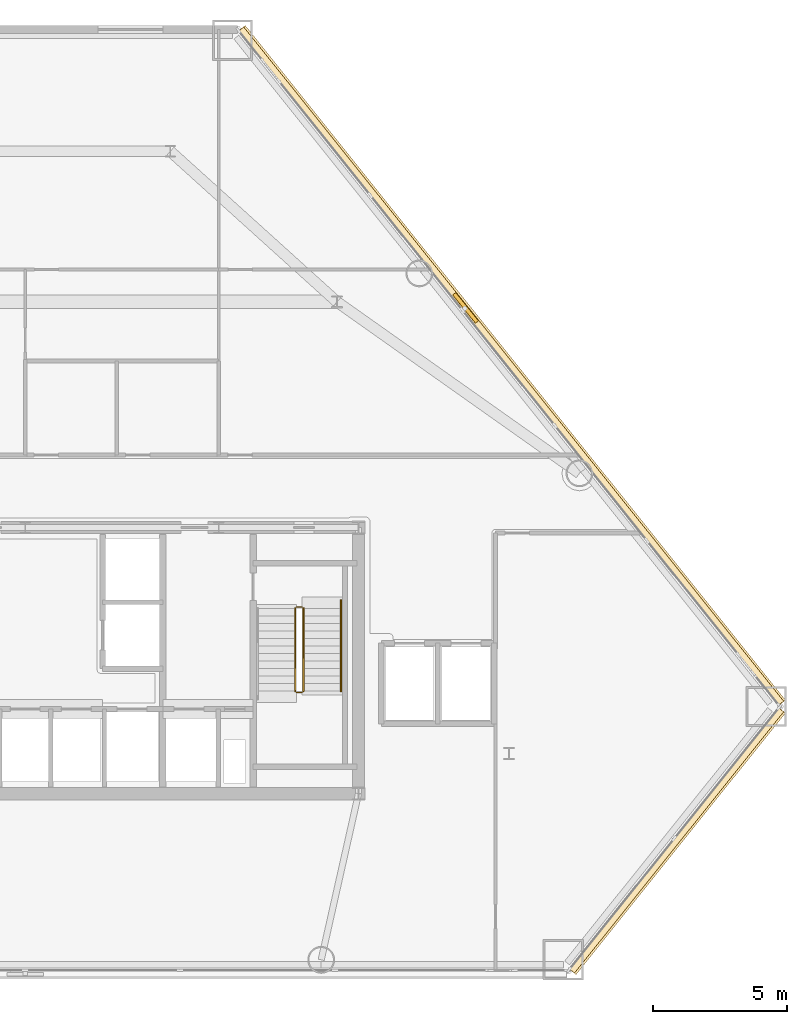
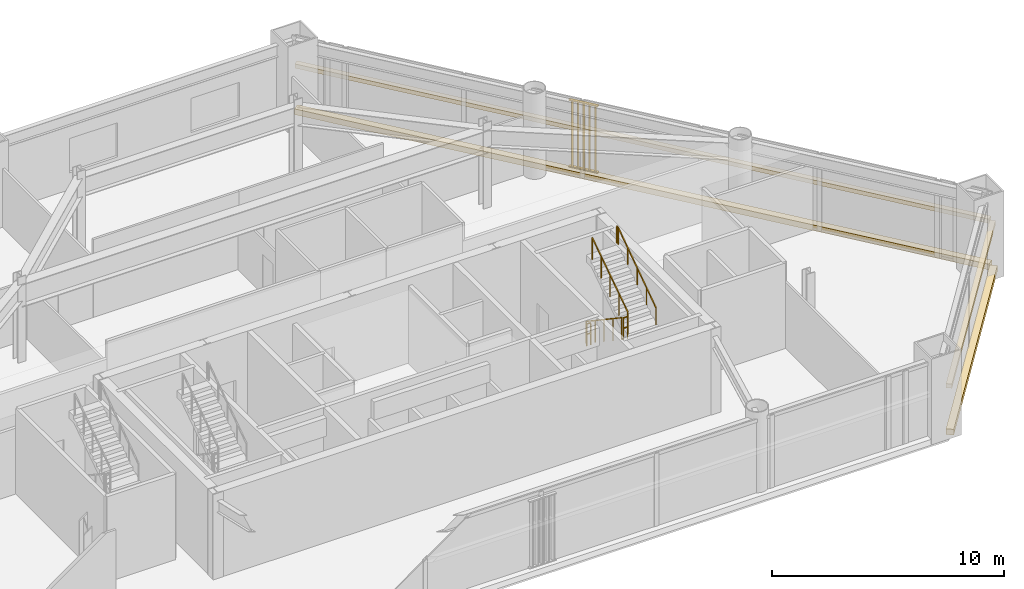
# One storey, part 13 of 13: 5 railings, 4 coverings, 1 shading device.
"""IFC4 building model written with IfcOpenShell, lengths in metres."""

from ifc_helpers import new_model, si_unit, direction, frame, origin, origin_2d, place, context, subcontext, project, spatial, rectangle, extrude, source, transform, mapped, material, layer, layer_set, type_object, type_shapes, element, save


model = new_model("IFC4")

# Units and contexts
model_context = context("Model", 3, precision=1e-05, world=origin(), true_north=direction((0.0, 1.0)))
body_context = subcontext(model_context, "Body", "Model", "MODEL_VIEW")
ifc_project = project(units=[si_unit("LENGTHUNIT", "METRE"), si_unit("AREAUNIT", "SQUARE_METRE"), si_unit("VOLUMEUNIT", "CUBIC_METRE"), si_unit("PLANEANGLEUNIT", "RADIAN"), si_unit("MASSUNIT", "GRAM", prefix="KILO")], contexts=[model_context])

# Site, building, storey
site_placement = place(None, origin())
site = spatial("IfcSite", under=ifc_project, at=site_placement, CompositionType="ELEMENT")
building_placement = place(site_placement, origin())
building = spatial("IfcBuilding", under=site, at=building_placement, Name="Talgorran Terracotta Tower", CompositionType="ELEMENT")
storey_placement = place(building_placement, frame((0.0, 0.0, 14.39990234375)))
storey = spatial("IfcBuildingStorey", under=building, at=storey_placement, Name="L03", CompositionType="ELEMENT", Elevation=14.39990234375)

# Coverings
ifc_material_1 = material(Name="Kiln-Fired Terracotta Ochre Ceramic", Category="masonry")
ifc_layer_1 = layer(ifc_material_1, 0.179931640625, Name="COV_BAGUETTE_TERRACOTTA_SCREEN")
ifc_layer_set_1 = layer_set([ifc_layer_1], Name="Kiln-Fired Terracotta Ochre Ceramic")
covering_type_1 = type_object("IfcCoveringType", Name="COV_BAGUETTE_TERRACOTTA_SCREEN", PredefinedType="CLADDING", material=ifc_layer_set_1)
covering_1_placement = place(storey_placement, frame((24.226318359375, -15.83056640625, 2.41015625), z_axis=(0.0, 0.0, 1.0), x_axis=(0.625120058901, 0.780528610597, 0.0)))
element("IfcCovering", 1, at=covering_1_placement, inside=storey, type_object=covering_type_1, Name="L03 Terracotta Baguette Solar Screen Assembly F2", PredefinedType="CLADDING", context=body_context, shape_type="SweptSolid", body=[
    extrude(rectangle(XDim=12.4462890625, YDim=0.260009765625, at=origin_2d()), origin(), (0.0, 0.0, 1.0), 0.219970703125),
])
covering_2_placement = place(storey_placement, frame((18.072509765625, 1.802490234375, 2.41015625), z_axis=(0.0, 0.0, 1.0), x_axis=(-0.625120058901, 0.780528610597, 0.0)))
element("IfcCovering", 2, at=covering_2_placement, inside=storey, type_object=covering_type_1, Name="L03 Terracotta Baguette Solar Screen Assembly F3", PredefinedType="CLADDING", context=body_context, shape_type="SweptSolid", body=[
    extrude(rectangle(XDim=32.135498046875, YDim=0.260009765625, at=origin_2d()), origin(), (0.0, 0.0, 1.0), 0.219970703125),
])
ifc_material_2 = material(Name="Kiln-Fired Terracotta Cladding", Category="masonry")
ifc_layer_2 = layer(ifc_material_2, 0.090087890625, Name="COV_PORTAL_TERRA")
ifc_layer_set_2 = layer_set([ifc_layer_2], Name="Kiln-Fired Terracotta Cladding")
covering_type_2 = type_object("IfcCoveringType", Name="COV_PORTAL_TERRA", PredefinedType="CLADDING", material=ifc_layer_set_2)
covering_3_placement = place(storey_placement, frame((24.257568359375, -15.85546875, -0.0400390625), z_axis=(0.0, 0.0, 1.0), x_axis=(0.625120058901, 0.780528610597, 0.0)))
element("IfcCovering", 3, at=covering_3_placement, inside=storey, type_object=covering_type_2, Name="L03 Striped Postmodern Portal Cladding Band F2", PredefinedType="CLADDING", context=body_context, shape_type="SweptSolid", body=[
    extrude(rectangle(XDim=12.46630859375, YDim=0.340087890625, at=origin_2d()), origin(), (0.0, 0.0, 1.0), 0.300048828125),
])
covering_4_placement = place(storey_placement, frame((18.103515625, 1.827392578125, -0.0400390625), z_axis=(0.0, 0.0, 1.0), x_axis=(-0.625120058901, 0.780528610597, 0.0)))
element("IfcCovering", 4, at=covering_4_placement, inside=storey, type_object=covering_type_2, Name="L03 Striped Postmodern Portal Cladding Band F3", PredefinedType="CLADDING", context=body_context, shape_type="SweptSolid", body=[
    extrude(rectangle(XDim=32.155517578125, YDim=0.340087890625, at=origin_2d()), origin(), (0.0, 0.0, 1.0), 0.300048828125),
])

# Railings
ifc_material_3 = material(Name="Steel S355 (300PLUS)", Category="steel")
railing_type_1 = type_object("IfcRailingType", Name="RL_HANDRAIL_920", PredefinedType="HANDRAIL", material=ifc_material_3)
railing_1_placement = place(storey_placement, frame((11.75, -10.280029296875, 2.4375)))
element("IfcRailing", 5, at=railing_1_placement, inside=storey, type_object=railing_type_1, Name="L03 ST-02 stair handrail 2", PredefinedType="HANDRAIL", context=body_context, shape_type="SweptSolid", body=[
    extrude(rectangle(XDim=0.048095703125, YDim=0.048095703125, at=origin_2d()), frame((0.0, 0.0, 0.89599609375), z_axis=(0.0, 0.82301009837, 0.568026740551), x_axis=(-1.0, 0.0, 0.0)), (0.0, 0.0, 1.0), 3.961181640625),
    extrude(rectangle(XDim=0.048095703125, YDim=0.048095703125, at=origin_2d()), frame((0.0, 3.260009765625, 3.14599609375), z_axis=(0.0, 1.0, 0.0), x_axis=(-1.0, 0.0, 0.0)), (0.0, 0.0, 1.0), 0.1201171875),
    extrude(rectangle(XDim=0.0419921875, YDim=0.0419921875, at=origin_2d()), origin(), (0.0, 0.0, 1.0), 0.871826171875),
    extrude(rectangle(XDim=0.0419921875, YDim=0.0419921875, at=origin_2d()), frame((0.0, 0.81494140625, 0.5625)), (0.0, 0.0, 1.0), 0.871826171875),
    extrude(rectangle(XDim=0.0419921875, YDim=0.0419921875, at=origin_2d()), frame((0.0, 1.6298828125, 1.125)), (0.0, 0.0, 1.0), 0.871826171875),
    extrude(rectangle(XDim=0.0419921875, YDim=0.0419921875, at=origin_2d()), frame((0.0, 2.445068359375, 1.6875)), (0.0, 0.0, 1.0), 0.871826171875),
    extrude(rectangle(XDim=0.0419921875, YDim=0.0419921875, at=origin_2d()), frame((0.0, 3.260009765625, 2.25)), (0.0, 0.0, 1.0), 0.871826171875),
    extrude(rectangle(XDim=0.0419921875, YDim=0.0419921875, at=origin_2d()), frame((0.0, 3.380126953125, 2.25)), (0.0, 0.0, 1.0), 0.871826171875),
])
railing_type_2 = type_object("IfcRailingType", Name="RL_STAIR_GUARD", PredefinedType="GUARDRAIL", material=ifc_material_3)
railing_2_placement = place(storey_placement, frame((10.050048828125, -7.199951171875, 0.1875)))
element("IfcRailing", 6, at=railing_2_placement, inside=storey, type_object=railing_type_2, Name="L03 ST-02 stair guard 1", PredefinedType="GUARDRAIL", context=body_context, shape_type="SweptSolid", body=[
    extrude(rectangle(XDim=0.048095703125, YDim=0.048095703125, at=origin_2d()), frame((0.0, 0.0, 1.15576171875), z_axis=(0.0, -0.830913701846, 0.55640131208), x_axis=(1.0, 0.0, 0.0)), (0.0, 0.0, 1.0), 3.706787109375),
    extrude(rectangle(XDim=0.0419921875, YDim=0.0419921875, at=origin_2d()), origin(), (0.0, 0.0, 1.0), 1.1318359375),
    extrude(rectangle(XDim=0.0419921875, YDim=0.0419921875, at=origin_2d()), frame((0.0, -0.77001953125, 0.515625)), (0.0, 0.0, 1.0), 1.1318359375),
    extrude(rectangle(XDim=0.0419921875, YDim=0.0419921875, at=origin_2d()), frame((0.0, -1.5400390625, 1.03125)), (0.0, 0.0, 1.0), 1.1318359375),
    extrude(rectangle(XDim=0.0419921875, YDim=0.0419921875, at=origin_2d()), frame((0.0, -2.31005859375, 1.546875)), (0.0, 0.0, 1.0), 1.1318359375),
    extrude(rectangle(XDim=0.0419921875, YDim=0.0419921875, at=origin_2d()), frame((0.0, -3.080078125, 2.0625)), (0.0, 0.0, 1.0), 1.1318359375),
])
railing_3_placement = place(storey_placement, frame((10.10009765625, -10.330078125, 2.25)))
element("IfcRailing", 7, at=railing_3_placement, inside=storey, type_object=railing_type_2, Name="L03 ST-02 stair guard 2", PredefinedType="GUARDRAIL", context=body_context, shape_type="SweptSolid", body=[
    extrude(rectangle(XDim=0.048095703125, YDim=0.048095703125, at=origin_2d()), frame((0.0, 0.0, 1.15576171875), z_axis=(1.0, 0.0, 0.0), x_axis=(0.0, 1.0, 0.0)), (0.0, 0.0, 1.0), 0.199951171875),
    extrude(rectangle(XDim=0.048095703125, YDim=0.048095703125, at=origin_2d()), frame((0.0, 0.0, 0.613525390625), z_axis=(1.0, 0.0, 0.0), x_axis=(0.0, 1.0, 0.0)), (0.0, 0.0, 1.0), 0.199951171875),
    extrude(rectangle(XDim=0.0419921875, YDim=0.0419921875, at=origin_2d()), origin(), (0.0, 0.0, 1.0), 1.1318359375),
    extrude(rectangle(XDim=0.0419921875, YDim=0.0419921875, at=origin_2d()), frame((0.199951171875, 0.0, 0.0)), (0.0, 0.0, 1.0), 1.1318359375),
])
railing_4_placement = place(storey_placement, frame((10.35009765625, -10.280029296875, 2.4375)))
element("IfcRailing", 8, at=railing_4_placement, inside=storey, type_object=railing_type_2, Name="L03 ST-02 stair guard 3", PredefinedType="GUARDRAIL", context=body_context, shape_type="SweptSolid", body=[
    extrude(rectangle(XDim=0.048095703125, YDim=0.048095703125, at=origin_2d()), frame((0.0, 0.0, 1.15576171875), z_axis=(0.0, 0.830913701846, 0.55640131208), x_axis=(-1.0, 0.0, 0.0)), (0.0, 0.0, 1.0), 3.706787109375),
    extrude(rectangle(XDim=0.0419921875, YDim=0.0419921875, at=origin_2d()), origin(), (0.0, 0.0, 1.0), 1.1318359375),
    extrude(rectangle(XDim=0.0419921875, YDim=0.0419921875, at=origin_2d()), frame((0.0, 0.77001953125, 0.515625)), (0.0, 0.0, 1.0), 1.1318359375),
    extrude(rectangle(XDim=0.0419921875, YDim=0.0419921875, at=origin_2d()), frame((0.0, 1.5400390625, 1.03125)), (0.0, 0.0, 1.0), 1.1318359375),
    extrude(rectangle(XDim=0.0419921875, YDim=0.0419921875, at=origin_2d()), frame((0.0, 2.31005859375, 1.546875)), (0.0, 0.0, 1.0), 1.1318359375),
    extrude(rectangle(XDim=0.0419921875, YDim=0.0419921875, at=origin_2d()), frame((0.0, 3.080078125, 2.0625)), (0.0, 0.0, 1.0), 1.1318359375),
])
railing_5_placement = place(storey_placement, frame((10.10009765625, -7.14990234375, 0.0)))
element("IfcRailing", 9, at=railing_5_placement, inside=storey, type_object=railing_type_2, Name="L03 ST-02 stair guard 4", PredefinedType="GUARDRAIL", context=body_context, shape_type="SweptSolid", body=[
    extrude(rectangle(XDim=0.048095703125, YDim=0.048095703125, at=origin_2d()), frame((0.0, 0.0, 1.15576171875), z_axis=(1.0, 0.0, 0.0), x_axis=(0.0, 1.0, 0.0)), (0.0, 0.0, 1.0), 0.199951171875),
    extrude(rectangle(XDim=0.048095703125, YDim=0.048095703125, at=origin_2d()), frame((0.0, 0.0, 0.613525390625), z_axis=(1.0, 0.0, 0.0), x_axis=(0.0, 1.0, 0.0)), (0.0, 0.0, 1.0), 0.199951171875),
    extrude(rectangle(XDim=0.0419921875, YDim=0.0419921875, at=origin_2d()), origin(), (0.0, 0.0, 1.0), 1.1318359375),
    extrude(rectangle(XDim=0.0419921875, YDim=0.0419921875, at=origin_2d()), frame((0.199951171875, 0.0, 0.0)), (0.0, 0.0, 1.0), 1.1318359375),
])

# Shading device
ifc_material_4 = material(Name="Kiln-Fired Terracotta", Category="masonry")
ifc_layer_3 = layer(ifc_material_4, 0.139892578125, Name="SHD_BAGUETTE_TERRA")
ifc_layer_set_3 = layer_set([ifc_layer_3], Name="Kiln-Fired Terracotta")
shading_device_type = type_object("IfcShadingDeviceType", Name="SHD_BAGUETTE_TERRA", PredefinedType="JALOUSIE", material=ifc_layer_set_3)
shared_shape = source(origin(), body_context, "Body", "SweptSolid", [
    extrude(rectangle(XDim=1.35009765625, YDim=0.139892578125, at=origin_2d()), origin(), (0.0, 0.0, 1.0), 0.054931640625),
    extrude(rectangle(XDim=1.35009765625, YDim=0.139892578125, at=origin_2d()), frame((0.0, 0.0, 3.4951171875)), (0.0, 0.0, 1.0), 0.054931640625),
    extrude(rectangle(XDim=0.074951171875, YDim=0.139892578125, at=origin_2d()), frame((-0.53515625, 0.0, 0.054931640625), z_axis=(0.0, 0.0, 1.0), x_axis=(0.866025403784, 0.5, 0.0)), (0.0, 0.0, 1.0), 3.440185546875),
    extrude(rectangle(XDim=0.074951171875, YDim=0.139892578125, at=origin_2d()), frame((-0.267578125, 0.0, 0.054931640625), z_axis=(0.0, 0.0, 1.0), x_axis=(0.866025403784, 0.5, 0.0)), (0.0, 0.0, 1.0), 3.440185546875),
    extrude(rectangle(XDim=0.074951171875, YDim=0.139892578125, at=origin_2d()), frame((0.0, 0.0, 0.054931640625), z_axis=(0.0, 0.0, 1.0), x_axis=(0.866025403784, 0.5, 0.0)), (0.0, 0.0, 1.0), 3.440185546875),
    extrude(rectangle(XDim=0.074951171875, YDim=0.139892578125, at=origin_2d()), frame((0.267578125, 0.0, 0.054931640625), z_axis=(0.0, 0.0, 1.0), x_axis=(0.866025403784, 0.5, 0.0)), (0.0, 0.0, 1.0), 3.440185546875),
    extrude(rectangle(XDim=0.074951171875, YDim=0.139892578125, at=origin_2d()), frame((0.53515625, 0.0, 0.054931640625), z_axis=(0.0, 0.0, 1.0), x_axis=(0.866025403784, 0.5, 0.0)), (0.0, 0.0, 1.0), 3.440185546875),
])
type_shapes(shading_device_type, [shared_shape])
shading_device_placement = place(storey_placement, frame((16.38427734375, 3.974365234375, 0.35009765625), z_axis=(0.0, 0.0, 1.0), x_axis=(-0.625120058901, 0.780528610597, 0.0)))
element("IfcShadingDevice", 10, at=shading_device_placement, inside=storey, type_object=shading_device_type, Name="BAG-L03-F3", PredefinedType="JALOUSIE", context=body_context, shape_type="MappedRepresentation", body=[
    mapped(shared_shape, transform((0.0, 0.0, 0.0), scale=1.0)),
])

save(model, "model.ifc")
